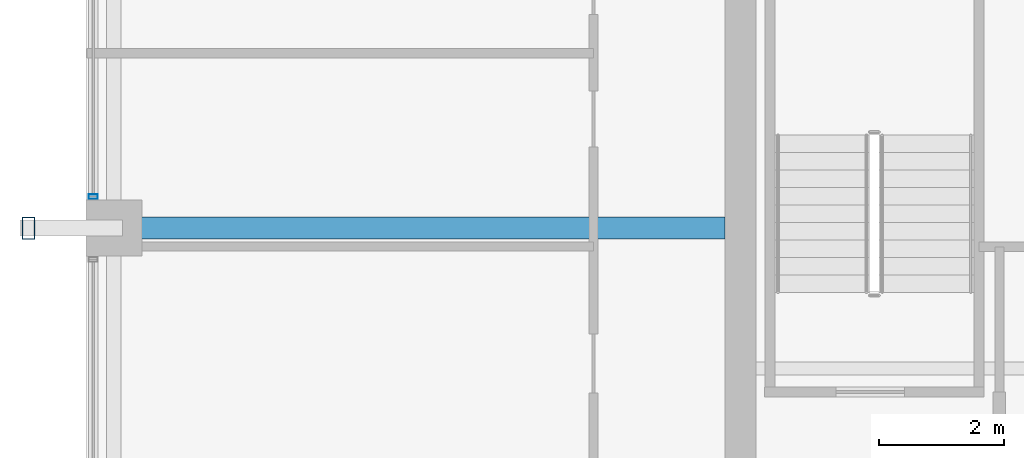
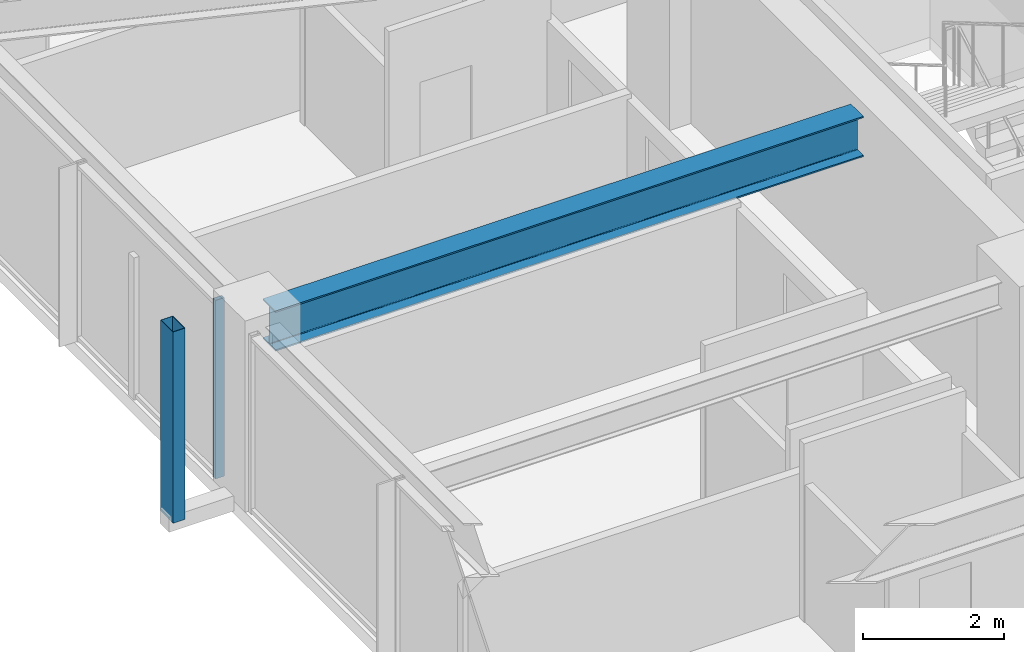
# One storey, part 10 of 37: 2 members, 1 beam, 1 element without a shape of its own.
"""IFC4 building model written with IfcOpenShell, lengths in metres."""

from ifc_helpers import new_model, si_unit, direction, frame, origin, origin_2d, place, context, subcontext, project, spatial, hollow_rectangle, i_section, extrude, material, material_profile, profile_set, type_object, element, aggregate, save


model = new_model("IFC4")

# Units and contexts
model_context = context("Model", 3, precision=1e-05, world=origin(), true_north=direction((0.0, 1.0)))
body_context = subcontext(model_context, "Body", "Model", "MODEL_VIEW")
ifc_project = project(units=[si_unit("LENGTHUNIT", "METRE"), si_unit("AREAUNIT", "SQUARE_METRE"), si_unit("VOLUMEUNIT", "CUBIC_METRE"), si_unit("PLANEANGLEUNIT", "RADIAN"), si_unit("MASSUNIT", "GRAM", prefix="KILO")], contexts=[model_context])

# Site, building, storey
site_placement = place(None, origin())
site = spatial("IfcSite", under=ifc_project, at=site_placement, CompositionType="ELEMENT")
building_placement = place(site_placement, origin())
building = spatial("IfcBuilding", under=site, at=building_placement, Name="Kolvaren Belvedere", CompositionType="ELEMENT")
storey_placement = place(building_placement, frame((0.0, 0.0, 180.0)))
storey = spatial("IfcBuildingStorey", under=building, at=storey_placement, Name="L52", CompositionType="ELEMENT", Elevation=180.0)

# Beam
ifc_material_1 = material(Name="Structural steel ASTM A992 Grade 50", Category="steel")
ifc_material_profile_1 = material_profile(ifc_material_1, i_section(OverallWidth=0.35498046875, OverallDepth=0.696044921875, WebThickness=0.015380859375, FlangeThickness=0.02490234375, FilletRadius=0.02197265625, at=origin_2d()), Name="W27X146")
ifc_profile_set_1 = profile_set([ifc_material_profile_1], Name="Structural steel ASTM A992 Grade 50")
beam_type = type_object("IfcBeamType", Name="BM-GIRD-W27X146", PredefinedType="BEAM", material=ifc_profile_set_1)
beam_placement = place(storey_placement, frame((-10.14990234375, 4.60009765625, 2.73193359375), z_axis=(-1.0, 0.0, 0.0), x_axis=(0.0, -1.0, 0.0)))
element("IfcBeam", 1, at=beam_placement, inside=storey, type_object=beam_type, Name="L52 West Radial Girder P", PredefinedType="BEAM", context=body_context, shape_type="SweptSolid", body=[
    extrude(i_section(OverallWidth=0.35498046875, OverallDepth=0.696044921875, WebThickness=0.015380859375, FlangeThickness=0.02490234375, FilletRadius=0.02197265625, at=origin_2d()), origin(), (0.0, 0.0, 1.0), 9.59765625),
])

# Curtain wall, member
ifc_material_2 = material(Name="Anodised pale-metal aluminium AA 6063-T6", Category="aluminium")
curtain_wall_type = type_object("IfcCurtainWallType", Name="CW-Z5-HIGH", PredefinedType="NOTDEFINED", material=ifc_material_2)
curtain_wall_placement = place(storey_placement, origin())
curtain_wall = element("IfcCurtainWall", 2, at=curtain_wall_placement, inside=storey, type_object=curtain_wall_type, Name="L52 Unitised Curtain Wall FCW-L52-W-B3", PredefinedType="NOTDEFINED")
ifc_material_3 = material(Name="Anodised pale-metal aluminium AA 6063-T6", Category="aluminium")
ifc_material_profile_2 = material_profile(ifc_material_3, hollow_rectangle(XDim=0.070068359375, YDim=0.14990234375, WallThickness=0.004150390625, at=origin_2d()), Name="ALU-MUL-150X70")
ifc_profile_set_2 = profile_set([ifc_material_profile_2], Name="Anodised pale-metal aluminium AA 6063-T6")
member_type_1 = type_object("IfcMemberType", Name="CW-MUL-150", PredefinedType="MULLION", material=ifc_profile_set_2)
member_1_placement = place(storey_placement, frame((-20.280029296875, 5.10498046875, 0.0), z_axis=(0.0, 0.0, 1.0), x_axis=(0.0, 1.0, 0.0)))
member_1 = element("IfcMember", 3, at=member_1_placement, type_object=member_type_1, Name="FCW-L52-W-B3 Unitised Mullion 1", PredefinedType="MULLION", context=body_context, shape_type="SweptSolid", body=[
    extrude(hollow_rectangle(XDim=0.070068359375, YDim=0.14990234375, WallThickness=0.004150390625, at=origin_2d()), origin(), (0.0, 0.0, 1.0), 3.080078125),
])
aggregate(curtain_wall, [member_1])

# Member
ifc_material_4 = material(Name="Anodised pale-metal aluminium AA 6063-T6", Category="aluminium")
ifc_material_profile_3 = material_profile(ifc_material_4, hollow_rectangle(XDim=0.199951171875, YDim=0.35009765625, WallThickness=0.007568359375, at=origin_2d()), Name="ALU-PF-350X200")
ifc_profile_set_3 = profile_set([ifc_material_profile_3], Name="Anodised pale-metal aluminium AA 6063-T6")
member_type_2 = type_object("IfcMemberType", Name="PF-FRAME-350", PredefinedType="USERDEFINED", material=ifc_profile_set_3)
member_2_placement = place(storey_placement, frame((-21.320068359375, 4.60009765625, 0.0), z_axis=(0.0, 0.0, 1.0), x_axis=(1.0, 0.0, 0.0)))
element("IfcMember", 4, at=member_2_placement, inside=storey, type_object=member_type_2, Name="L52 Outboard Picture-Frame Vertical W2", ObjectType="PICTURE FRAME FIN", PredefinedType="USERDEFINED", context=body_context, shape_type="SweptSolid", body=[
    extrude(hollow_rectangle(XDim=0.199951171875, YDim=0.35009765625, WallThickness=0.007568359375, at=origin_2d()), origin(), (0.0, 0.0, 1.0), 3.300048828125),
])

save(model, "model.ifc")
